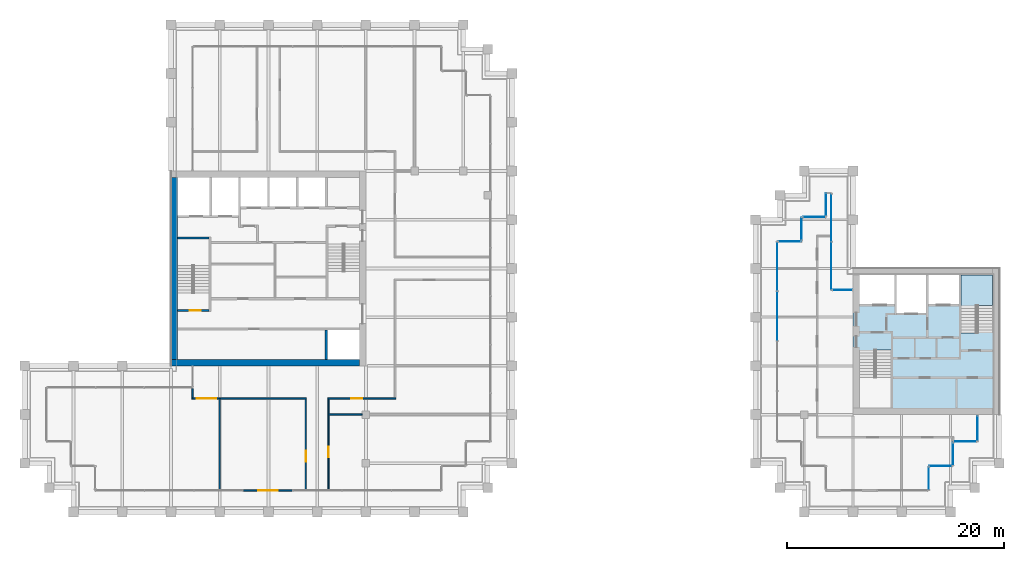
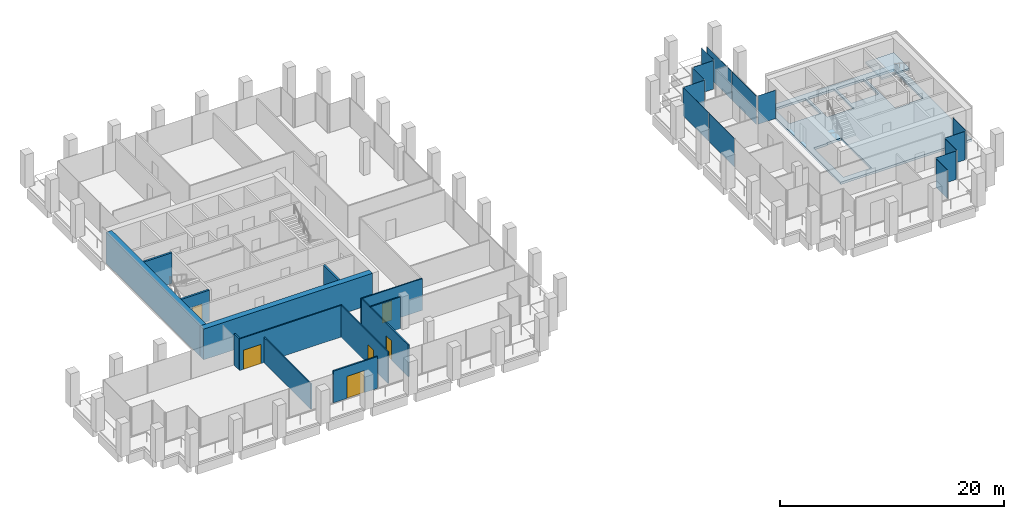
# One storey, part 35 of 40: 14 plates, 13 walls, 6 doors, 2 slabs, 6 openings, 13 elements without a shape of their own.
"""IFC4 building model written with IfcOpenShell, lengths in metres."""

from ifc_helpers import new_model, si_unit, direction, frame, frame_2d, origin, origin_2d, place, context, subcontext, project, spatial, polyline, rectangle, outline, extrude, material, layer, layer_set, type_object, element, fill, aggregate, save


model = new_model("IFC4")

# Units and contexts
model_context = context("Model", 3, precision=1e-05, world=origin(), true_north=direction((0.0, 1.0)))
body_context = subcontext(model_context, "Body", "Model", "MODEL_VIEW")
ifc_project = project(units=[si_unit("LENGTHUNIT", "METRE"), si_unit("AREAUNIT", "SQUARE_METRE"), si_unit("VOLUMEUNIT", "CUBIC_METRE"), si_unit("PLANEANGLEUNIT", "RADIAN"), si_unit("MASSUNIT", "GRAM", prefix="KILO")], contexts=[model_context])

# Site, building, storey
site_placement = place(None, origin())
site = spatial("IfcSite", under=ifc_project, at=site_placement, CompositionType="ELEMENT")
building_placement = place(site_placement, origin())
building = spatial("IfcBuilding", under=site, at=building_placement, Name="Altepetl Exchange Towers", CompositionType="ELEMENT")
storey_placement = place(building_placement, frame((0.0, 0.0, 183.39990234375)))
storey = spatial("IfcBuildingStorey", under=building, at=storey_placement, Name="L46", CompositionType="ELEMENT", Elevation=183.39990234375)

# Slab
ifc_material_1 = material(Name="Concrete C40/50", Category="concrete")
ifc_layer_1 = layer(ifc_material_1, 0.25)
ifc_layer_set_1 = layer_set([ifc_layer_1], Name="Concrete C40/50")
slab_type_1 = type_object("IfcSlabType", Name="Core floor slab 250", PredefinedType="FLOOR", material=ifc_layer_set_1)
slab_1_placement = place(storey_placement, frame((0.0, 0.0, -0.25)))
element("IfcSlab", 1, at=slab_1_placement, inside=storey, type_object=slab_type_1, Name="slab:B:L46:core0", PredefinedType="FLOOR", context=body_context, shape_type="SweptSolid", body=[
    extrude(outline(polyline([(103.5, 36.0), (117.0, 36.0), (117.0, 49.5), (103.5, 49.5), (103.5, 36.0)]), holes=[polyline([(107.0, 36.60009765625), (104.10009765625, 36.60009765625), (104.10009765625, 41.85009765625), (105.5, 41.85009765625), (105.5, 41.948974609375), (107.0, 41.948974609375), (107.0, 36.60009765625)]), polyline([(113.5, 48.89990234375), (116.39990234375, 48.89990234375), (116.39990234375, 43.64990234375), (115.0, 43.64990234375), (115.0, 43.551025390625), (113.5, 43.551025390625), (113.5, 48.89990234375)]), polyline([(107.532958984375, 45.39990234375), (107.532958984375, 48.89990234375), (110.26708984375, 48.89990234375), (110.26708984375, 45.39990234375), (107.532958984375, 45.39990234375)]), polyline([(104.10009765625, 48.89990234375), (107.3330078125, 48.89990234375), (107.3330078125, 46.199951171875), (104.10009765625, 46.199951171875), (104.10009765625, 48.89990234375)]), polyline([(110.467041015625, 48.89990234375), (113.300048828125, 48.89990234375), (113.300048828125, 46.199951171875), (110.467041015625, 46.199951171875), (110.467041015625, 48.89990234375)])]), origin(), (0.0, 0.0, 1.0), 0.25),
])

# Curtain wall, plate
ifc_material_2 = material(Name="Aluminium 6063-T6 glazing", Category="aluminium")
curtain_wall_type = type_object("IfcCurtainWallType", Name="Loggia glazing system", PredefinedType="NOTDEFINED", material=ifc_material_2)
curtain_wall_1_placement = place(storey_placement, origin())
curtain_wall_1 = element("IfcCurtainWall", 2, at=curtain_wall_1_placement, inside=storey, type_object=curtain_wall_type, Name="CW1 run", PredefinedType="NOTDEFINED")
ifc_material_3 = material(Name="Glass 6-16-6 low emissivity", Category="glass")
ifc_layer_2 = layer(ifc_material_3, 0.028076171875)
ifc_layer_set_2 = layer_set([ifc_layer_2], Name="Glass 6-16-6 low emissivity")
plate_type = type_object("IfcPlateType", Name="Glass panel 28 double glazed", PredefinedType="CURTAIN_PANEL", material=ifc_layer_set_2)
plate_1_placement = place(storey_placement, frame((110.5, 30.08740234375, 0.0), z_axis=(0.0, 0.0, 1.0), x_axis=(0.0, 1.0, 0.0)))
plate_1 = element("IfcPlate", 3, at=plate_1_placement, type_object=plate_type, Name="GP1 panel", PredefinedType="CURTAIN_PANEL", context=body_context, shape_type="SweptSolid", body=[
    extrude(rectangle(XDim=2.054931640625, YDim=0.028076171875, at=origin_2d()), origin(), (0.0, 0.0, 1.0), 3.10009765625),
])
aggregate(curtain_wall_1, [plate_1])

curtain_wall_2_placement = place(storey_placement, origin())
curtain_wall_2 = element("IfcCurtainWall", 4, at=curtain_wall_2_placement, inside=storey, type_object=curtain_wall_type, Name="CW1 run", PredefinedType="NOTDEFINED")
plate_2_placement = place(storey_placement, frame((111.58740234375, 31.25, 0.0)))
plate_2 = element("IfcPlate", 5, at=plate_2_placement, type_object=plate_type, Name="GP1 panel", PredefinedType="CURTAIN_PANEL", context=body_context, shape_type="SweptSolid", body=[
    extrude(rectangle(XDim=2.054931640625, YDim=0.028076171875, at=origin_2d()), origin(), (0.0, 0.0, 1.0), 3.10009765625),
])
aggregate(curtain_wall_2, [plate_2])

curtain_wall_3_placement = place(storey_placement, origin())
curtain_wall_3 = element("IfcCurtainWall", 6, at=curtain_wall_3_placement, inside=storey, type_object=curtain_wall_type, Name="CW1 run", PredefinedType="NOTDEFINED")
plate_3_placement = place(storey_placement, frame((112.75, 32.33740234375, 0.0), z_axis=(0.0, 0.0, 1.0), x_axis=(0.0, 1.0, 0.0)))
plate_3 = element("IfcPlate", 7, at=plate_3_placement, type_object=plate_type, Name="GP1 panel", PredefinedType="CURTAIN_PANEL", context=body_context, shape_type="SweptSolid", body=[
    extrude(rectangle(XDim=2.054931640625, YDim=0.028076171875, at=origin_2d()), origin(), (0.0, 0.0, 1.0), 3.10009765625),
])
aggregate(curtain_wall_3, [plate_3])

curtain_wall_4_placement = place(storey_placement, origin())
curtain_wall_4 = element("IfcCurtainWall", 8, at=curtain_wall_4_placement, inside=storey, type_object=curtain_wall_type, Name="CW1 run", PredefinedType="NOTDEFINED")
plate_4_placement = place(storey_placement, frame((113.83740234375, 33.5, 0.0)))
plate_4 = element("IfcPlate", 9, at=plate_4_placement, type_object=plate_type, Name="GP1 panel", PredefinedType="CURTAIN_PANEL", context=body_context, shape_type="SweptSolid", body=[
    extrude(rectangle(XDim=2.054931640625, YDim=0.028076171875, at=origin_2d()), origin(), (0.0, 0.0, 1.0), 3.10009765625),
])
aggregate(curtain_wall_4, [plate_4])

curtain_wall_5_placement = place(storey_placement, origin())
curtain_wall_5 = element("IfcCurtainWall", 10, at=curtain_wall_5_placement, inside=storey, type_object=curtain_wall_type, Name="CW1 run", PredefinedType="NOTDEFINED")
plate_5_placement = place(storey_placement, frame((115.0, 34.71240234375, 0.0), z_axis=(0.0, 0.0, 1.0), x_axis=(0.0, 1.0, 0.0)))
plate_5 = element("IfcPlate", 11, at=plate_5_placement, type_object=plate_type, Name="GP1 panel", PredefinedType="CURTAIN_PANEL", context=body_context, shape_type="SweptSolid", body=[
    extrude(rectangle(XDim=2.304931640625, YDim=0.028076171875, at=origin_2d()), origin(), (0.0, 0.0, 1.0), 3.10009765625),
])
aggregate(curtain_wall_5, [plate_5])

curtain_wall_6_placement = place(storey_placement, origin())
curtain_wall_6 = element("IfcCurtainWall", 12, at=curtain_wall_6_placement, inside=storey, type_object=curtain_wall_type, Name="CW1 run", PredefinedType="NOTDEFINED")
plate_6_placement = place(storey_placement, frame((102.53759765625, 47.5, 0.0), z_axis=(0.0, 0.0, 1.0), x_axis=(-1.0, 0.0, 0.0)))
plate_6 = element("IfcPlate", 13, at=plate_6_placement, type_object=plate_type, Name="GP1 panel", PredefinedType="CURTAIN_PANEL", context=body_context, shape_type="SweptSolid", body=[
    extrude(rectangle(XDim=1.804931640625, YDim=0.028076171875, at=origin_2d()), origin(), (0.0, 0.0, 1.0), 3.10009765625),
])
aggregate(curtain_wall_6, [plate_6])

# Curtain wall, plates
curtain_wall_7_placement = place(storey_placement, origin())
curtain_wall_7 = element("IfcCurtainWall", 14, at=curtain_wall_7_placement, inside=storey, type_object=curtain_wall_type, Name="CW1 run", PredefinedType="NOTDEFINED")
plate_7_placement = place(storey_placement, frame((101.5, 49.746337890625, 0.0), z_axis=(0.0, 0.0, 1.0), x_axis=(0.0, 1.0, 0.0)))
plate_7 = element("IfcPlate", 15, at=plate_7_placement, type_object=plate_type, Name="GP1 panel", PredefinedType="CURTAIN_PANEL", context=body_context, shape_type="SweptSolid", body=[
    extrude(rectangle(XDim=4.37255859375, YDim=0.028076171875, at=origin_2d()), origin(), (0.0, 0.0, 1.0), 3.10009765625),
])
plate_8_placement = place(storey_placement, frame((101.5, 54.1787109375, 0.0), z_axis=(0.0, 0.0, 1.0), x_axis=(0.0, 1.0, 0.0)))
plate_8 = element("IfcPlate", 16, at=plate_8_placement, type_object=plate_type, Name="GP1 panel", PredefinedType="CURTAIN_PANEL", context=body_context, shape_type="SweptSolid", body=[
    extrude(rectangle(XDim=4.37255859375, YDim=0.028076171875, at=origin_2d()), origin(), (0.0, 0.0, 1.0), 3.10009765625),
])
aggregate(curtain_wall_7, [plate_7, plate_8])

# Curtain wall, plate
curtain_wall_8_placement = place(storey_placement, origin())
curtain_wall_8 = element("IfcCurtainWall", 17, at=curtain_wall_8_placement, inside=storey, type_object=curtain_wall_type, Name="CW1 run", PredefinedType="NOTDEFINED")
plate_9_placement = place(storey_placement, frame((101.0, 55.41259765625, 0.0), z_axis=(0.0, 0.0, 1.0), x_axis=(0.0, -1.0, 0.0)))
plate_9 = element("IfcPlate", 18, at=plate_9_placement, type_object=plate_type, Name="GP1 panel", PredefinedType="CURTAIN_PANEL", context=body_context, shape_type="SweptSolid", body=[
    extrude(rectangle(XDim=2.054931640625, YDim=0.028076171875, at=origin_2d()), origin(), (0.0, 0.0, 1.0), 3.10009765625),
])
aggregate(curtain_wall_8, [plate_9])

curtain_wall_9_placement = place(storey_placement, origin())
curtain_wall_9 = element("IfcCurtainWall", 19, at=curtain_wall_9_placement, inside=storey, type_object=curtain_wall_type, Name="CW1 run", PredefinedType="NOTDEFINED")
plate_10_placement = place(storey_placement, frame((99.91259765625, 54.25, 0.0), z_axis=(0.0, 0.0, 1.0), x_axis=(-1.0, 0.0, 0.0)))
plate_10 = element("IfcPlate", 20, at=plate_10_placement, type_object=plate_type, Name="GP1 panel", PredefinedType="CURTAIN_PANEL", context=body_context, shape_type="SweptSolid", body=[
    extrude(rectangle(XDim=2.054931640625, YDim=0.028076171875, at=origin_2d()), origin(), (0.0, 0.0, 1.0), 3.10009765625),
])
aggregate(curtain_wall_9, [plate_10])

curtain_wall_10_placement = place(storey_placement, origin())
curtain_wall_10 = element("IfcCurtainWall", 21, at=curtain_wall_10_placement, inside=storey, type_object=curtain_wall_type, Name="CW1 run", PredefinedType="NOTDEFINED")
plate_11_placement = place(storey_placement, frame((98.75, 53.16259765625, 0.0), z_axis=(0.0, 0.0, 1.0), x_axis=(0.0, -1.0, 0.0)))
plate_11 = element("IfcPlate", 22, at=plate_11_placement, type_object=plate_type, Name="GP1 panel", PredefinedType="CURTAIN_PANEL", context=body_context, shape_type="SweptSolid", body=[
    extrude(rectangle(XDim=2.054931640625, YDim=0.028076171875, at=origin_2d()), origin(), (0.0, 0.0, 1.0), 3.10009765625),
])
aggregate(curtain_wall_10, [plate_11])

curtain_wall_11_placement = place(storey_placement, origin())
curtain_wall_11 = element("IfcCurtainWall", 23, at=curtain_wall_11_placement, inside=storey, type_object=curtain_wall_type, Name="CW1 run", PredefinedType="NOTDEFINED")
plate_12_placement = place(storey_placement, frame((97.66259765625, 52.0, 0.0), z_axis=(0.0, 0.0, 1.0), x_axis=(-1.0, 0.0, 0.0)))
plate_12 = element("IfcPlate", 24, at=plate_12_placement, type_object=plate_type, Name="GP1 panel", PredefinedType="CURTAIN_PANEL", context=body_context, shape_type="SweptSolid", body=[
    extrude(rectangle(XDim=2.054931640625, YDim=0.028076171875, at=origin_2d()), origin(), (0.0, 0.0, 1.0), 3.10009765625),
])
aggregate(curtain_wall_11, [plate_12])

# Curtain wall, plates
curtain_wall_12_placement = place(storey_placement, origin())
curtain_wall_12 = element("IfcCurtainWall", 25, at=curtain_wall_12_placement, inside=storey, type_object=curtain_wall_type, Name="CW1 run", PredefinedType="NOTDEFINED")
plate_13_placement = place(storey_placement, frame((96.5, 49.681884765625, 0.0), z_axis=(0.0, 0.0, 1.0), x_axis=(0.0, -1.0, 0.0)))
plate_13 = element("IfcPlate", 26, at=plate_13_placement, type_object=plate_type, Name="GP1 panel", PredefinedType="CURTAIN_PANEL", context=body_context, shape_type="SweptSolid", body=[
    extrude(rectangle(XDim=4.516357421875, YDim=0.028076171875, at=origin_2d()), origin(), (0.0, 0.0, 1.0), 3.10009765625),
])
plate_14_placement = place(storey_placement, frame((96.5, 45.090576171875, 0.0), z_axis=(0.0, 0.0, 1.0), x_axis=(0.0, -1.0, 0.0)))
plate_14 = element("IfcPlate", 27, at=plate_14_placement, type_object=plate_type, Name="GP1 panel", PredefinedType="CURTAIN_PANEL", context=body_context, shape_type="SweptSolid", body=[
    extrude(rectangle(XDim=4.546142578125, YDim=0.028076171875, at=origin_2d()), origin(), (0.0, 0.0, 1.0), 3.10009765625),
])
aggregate(curtain_wall_12, [plate_13, plate_14])

# Stair, slab
stair_type = type_object("IfcStairType", Name="Exit stair 1400 flights dogleg", PredefinedType="HALF_TURN_STAIR", material=ifc_material_1)
stair_placement = place(storey_placement, origin())
stair = element("IfcStair", 28, at=stair_placement, inside=storey, type_object=stair_type, Name="Exit stair 2", PredefinedType="HALF_TURN_STAIR")
ifc_layer_3 = layer(ifc_material_1, 0.199951171875)
ifc_layer_set_3 = layer_set([ifc_layer_3], Name="Concrete C40/50")
slab_type_2 = type_object("IfcSlabType", Name="Stair landing 200 reinforced concrete", PredefinedType="LANDING", material=ifc_layer_set_3)
slab_2_placement = place(storey_placement, frame((0.0, 0.0, 1.60009765625)))
slab_2 = element("IfcSlab", 29, at=slab_2_placement, type_object=slab_type_2, Name="ST-B2e landing 1", PredefinedType="LANDING", context=body_context, shape_type="SweptSolid", body=[
    extrude(outline(polyline([(114.89990234375, 45.969970703125), (113.5, 45.969970703125), (113.5, 46.070068359375), (113.5, 48.89990234375), (116.39990234375, 48.89990234375), (116.39990234375, 46.070068359375), (116.39990234375, 46.0693359375), (115.0, 46.0693359375), (115.0, 46.070068359375), (114.89990234375, 46.070068359375), (114.89990234375, 45.969970703125)])), origin(), (0.0, 0.0, 1.0), 0.199951171875),
])
aggregate(stair, [slab_2])

# Walls
ifc_material_4 = material(Name="Concrete C70/85", Category="concrete")
ifc_layer_4 = layer(ifc_material_4, 0.60009765625)
ifc_layer_set_4 = layer_set([ifc_layer_4], Name="Concrete C70/85")
wall_type_1 = type_object("IfcWallType", Name="Core wall 600 reinforced concrete", PredefinedType="SHEAR", material=ifc_layer_set_4)
wall_1_placement = place(storey_placement, frame((40.5, 40.800048828125, 0.0)))
element("IfcWall", 30, at=wall_1_placement, inside=storey, type_object=wall_type_1, Name="wall:A:L46:K-coreS", PredefinedType="SHEAR", context=body_context, shape_type="SweptSolid", body=[
    extrude(rectangle(XDim=17.39990234375, YDim=0.60009765625, at=frame_2d((8.699951171875, 0.0))), origin(), (0.0, 0.0, 1.0), 3.35009765625),
])
ifc_layer_5 = layer(ifc_material_4, 0.60009765625)
ifc_layer_set_5 = layer_set([ifc_layer_5], Name="Concrete C70/85")
wall_type_2 = type_object("IfcWallType", Name="Core wall 600 reinforced concrete external", PredefinedType="SHEAR", material=ifc_layer_set_5)
wall_2_placement = place(storey_placement, frame((40.800048828125, 41.10009765625, 0.0), z_axis=(0.0, 0.0, 1.0), x_axis=(0.0, 1.0, 0.0)))
element("IfcWall", 31, at=wall_2_placement, inside=storey, type_object=wall_type_2, Name="wall:A:L46:K-coreW", PredefinedType="SHEAR", context=body_context, shape_type="SweptSolid", body=[
    extrude(rectangle(XDim=16.7998046875, YDim=0.60009765625, at=frame_2d((8.39990234375, 0.0))), origin(), (0.0, 0.0, 1.0), 3.35009765625),
])

# Wall, opening, door
ifc_material_5 = material(Name="Aluminium composite cladding", Category="aluminium")
ifc_layer_6 = layer(ifc_material_5, 0.14990234375)
ifc_layer_set_6 = layer_set([ifc_layer_6], Name="Aluminium composite cladding")
wall_type_3 = type_object("IfcWallType", Name="Infill wall 150 aluminium panel", PredefinedType="SOLIDWALL", material=ifc_layer_set_6)
wall_3_placement = place(storey_placement, frame((47.18212890625, 29.0, 0.0)))
wall_3 = element("IfcWall", 32, at=wall_3_placement, inside=storey, type_object=wall_type_3, Name="Loggia door bay wall", PredefinedType="SOLIDWALL", context=body_context, shape_type="SweptSolid", body=[
    extrude(rectangle(XDim=4.560791015625, YDim=0.14990234375, at=frame_2d((2.2802734375, 0.0))), origin(), (0.0, 0.0, 1.0), 3.4501953125),
])
opening_1_placement = place(wall_3_placement, frame((1.38037109375, 0.0, 0.0)))
opening_1 = element("IfcOpeningElement", 33, at=opening_1_placement, cuts=wall_3, Name="Opening L46.A90", PredefinedType="OPENING", context=body_context, shape_type="SweptSolid", body=[
    extrude(rectangle(XDim=1.800048828125, YDim=2.39990234375, at=frame_2d((0.89990234375, 1.199951171875))), frame((0.0, 0.0849609375, 0.0), z_axis=(0.0, -1.0, 0.0), x_axis=(1.0, 0.0, 0.0)), (0.0, 0.0, 1.0), 0.169921875),
])
ifc_material_6 = material(Name="Aluminium 6063-T6 and glass", Category="aluminium")
door_type_1 = type_object("IfcDoorType", Name="Glazed door pair 1800x2400", OperationType="DOUBLE_DOOR_DOUBLE_SWING", PredefinedType="NOTDEFINED", material=ifc_material_6)
door_1_placement = place(opening_1_placement, frame((1.800048828125, 0.0, 0.0), x_axis=(-1.0, 0.0, 0.0)))
door_1 = element("IfcDoor", 34, at=door_1_placement, inside=storey, type_object=door_type_1, Name="Loggia door", OperationType="DOUBLE_DOOR_DOUBLE_SWING", OverallHeight=2.39990234375, OverallWidth=1.800048828125, PredefinedType="NOTDEFINED", context=body_context, shape_type="SweptSolid", body=[
    extrude(rectangle(XDim=1.800048828125, YDim=2.39990234375, at=frame_2d((0.89990234375, 1.199951171875))), frame((0.0, 0.02490234375, 0.0), z_axis=(0.0, -1.0, 0.0), x_axis=(1.0, 0.0, 0.0)), (0.0, 0.0, 1.0), 0.050048828125),
])
fill(opening_1, door_1)

# Wall
ifc_material_7 = material(Name="Gypsum board on steel studs", Category="steel")
ifc_layer_7 = layer(ifc_material_7, 0.125)
ifc_layer_set_7 = layer_set([ifc_layer_7], Name="Gypsum board on steel studs")
wall_type_4 = type_object("IfcWallType", Name="Partition 125 gypsum board on steel studs", PredefinedType="PARTITIONING", material=ifc_layer_set_7)
wall_4_placement = place(storey_placement, frame((55.050048828125, 36.0, 0.0)))
element("IfcWall", 35, at=wall_4_placement, inside=storey, type_object=wall_type_4, Name="wall:A:L46:P01", PredefinedType="PARTITIONING", context=body_context, shape_type="SweptSolid", body=[
    extrude(rectangle(XDim=3.099853515625, YDim=0.125, at=frame_2d((1.5498046875, 0.0))), origin(), (0.0, 0.0, 1.0), 3.4501953125),
])

# Wall, opening, door
wall_5_placement = place(storey_placement, frame((42.4375, 37.5, 0.0)))
wall_5 = element("IfcWall", 36, at=wall_5_placement, inside=storey, type_object=wall_type_4, Name="wall:A:L46:P03", PredefinedType="PARTITIONING", context=body_context, shape_type="SweptSolid", body=[
    extrude(rectangle(XDim=10.574951171875, YDim=0.125, at=frame_2d((5.28759765625, 0.0))), origin(), (0.0, 0.0, 1.0), 3.4501953125),
])
opening_2_placement = place(wall_5_placement, frame((0.429443359375, 0.0, 0.0)))
opening_2 = element("IfcOpeningElement", 37, at=opening_2_placement, cuts=wall_5, Name="Opening L46.A03", PredefinedType="OPENING", context=body_context, shape_type="SweptSolid", body=[
    extrude(rectangle(XDim=1.800048828125, YDim=2.10009765625, at=frame_2d((0.89990234375, 1.050048828125))), frame((0.0, 0.072509765625, 0.0), z_axis=(0.0, -1.0, 0.0), x_axis=(1.0, 0.0, 0.0)), (0.0, 0.0, 1.0), 0.14501953125),
])
ifc_material_8 = material(Name="Steel and timber fire door", Category="steel")
door_type_2 = type_object("IfcDoorType", Name="Fire door 1800 x 2100 double leaf", OperationType="DOUBLE_DOOR_SINGLE_SWING", PredefinedType="DOOR", material=ifc_material_8)
door_2_placement = place(opening_2_placement, frame((1.800048828125, 0.0, 0.0), x_axis=(-1.0, 0.0, 0.0)))
door_2 = element("IfcDoor", 38, at=door_2_placement, inside=storey, type_object=door_type_2, Name="door:A:L46:03", OperationType="DOUBLE_DOOR_SINGLE_SWING", OverallHeight=2.10009765625, OverallWidth=1.800048828125, PredefinedType="DOOR", context=body_context, shape_type="SweptSolid", body=[
    extrude(rectangle(XDim=1.800048828125, YDim=2.10009765625, at=frame_2d((0.89990234375, 1.050048828125))), frame((0.0, 0.02490234375, 0.0), z_axis=(0.0, -1.0, 0.0), x_axis=(1.0, 0.0, 0.0)), (0.0, 0.0, 1.0), 0.050048828125),
])
fill(opening_2, door_2)

wall_6_placement = place(storey_placement, frame((54.987548828125, 37.5, 0.0)))
wall_6 = element("IfcWall", 39, at=wall_6_placement, inside=storey, type_object=wall_type_4, Name="wall:A:L46:P04", PredefinedType="PARTITIONING", context=body_context, shape_type="SweptSolid", body=[
    extrude(rectangle(XDim=6.27490234375, YDim=0.125, at=frame_2d((3.137451171875, 0.0))), origin(), (0.0, 0.0, 1.0), 3.4501953125),
])
opening_3_placement = place(wall_6_placement, frame((2.16259765625, 0.0, 0.0)))
opening_3 = element("IfcOpeningElement", 40, at=opening_3_placement, cuts=wall_6, Name="Opening L46.A04", PredefinedType="OPENING", context=body_context, shape_type="SweptSolid", body=[
    extrude(rectangle(XDim=1.0, YDim=2.10009765625, at=frame_2d((0.5, 1.050048828125))), frame((0.0, 0.072509765625, 0.0), z_axis=(0.0, -1.0, 0.0), x_axis=(1.0, 0.0, 0.0)), (0.0, 0.0, 1.0), 0.14501953125),
])
door_type_3 = type_object("IfcDoorType", Name="Fire door 1000 x 2100 single leaf", OperationType="SINGLE_SWING_LEFT", PredefinedType="DOOR", material=ifc_material_8)
door_3_placement = place(opening_3_placement, origin())
door_3 = element("IfcDoor", 41, at=door_3_placement, inside=storey, type_object=door_type_3, Name="door:A:L46:04", OperationType="SINGLE_SWING_LEFT", OverallHeight=2.10009765625, OverallWidth=1.0, PredefinedType="DOOR", context=body_context, shape_type="SweptSolid", body=[
    extrude(rectangle(XDim=1.0, YDim=2.10009765625, at=frame_2d((0.5, 1.050048828125))), frame((0.0, 0.02490234375, 0.0), z_axis=(0.0, -1.0, 0.0), x_axis=(1.0, 0.0, 0.0)), (0.0, 0.0, 1.0), 0.050048828125),
])
fill(opening_3, door_3)

# Walls
wall_7_placement = place(storey_placement, frame((42.5, 37.5625, 0.0), z_axis=(0.0, 0.0, 1.0), x_axis=(0.0, 1.0, 0.0)))
element("IfcWall", 42, at=wall_7_placement, inside=storey, type_object=wall_type_4, Name="wall:A:L46:P11", PredefinedType="PARTITIONING", context=body_context, shape_type="SweptSolid", body=[
    extrude(rectangle(XDim=0.83740234375, YDim=0.125, at=frame_2d((0.418701171875, 0.0))), origin(), (0.0, 0.0, 1.0), 3.4501953125),
])
wall_8_placement = place(storey_placement, frame((45.0, 29.10009765625, 0.0), z_axis=(0.0, 0.0, 1.0), x_axis=(0.0, 1.0, 0.0)))
element("IfcWall", 43, at=wall_8_placement, inside=storey, type_object=wall_type_4, Name="wall:A:L46:P12", PredefinedType="PARTITIONING", context=body_context, shape_type="SweptSolid", body=[
    extrude(rectangle(XDim=8.39990234375, YDim=0.125, at=frame_2d((4.199951171875, 0.0))), origin(), (0.0, 0.0, 1.0), 2.76611328125),
])

# Wall, opening, door
wall_9_placement = place(storey_placement, frame((52.949951171875, 29.10009765625, 0.0), z_axis=(0.0, 0.0, 1.0), x_axis=(0.0, 1.0, 0.0)))
wall_9 = element("IfcWall", 44, at=wall_9_placement, inside=storey, type_object=wall_type_4, Name="wall:A:L46:P15", PredefinedType="PARTITIONING", context=body_context, shape_type="SweptSolid", body=[
    extrude(rectangle(XDim=8.33740234375, YDim=0.125, at=frame_2d((4.168701171875, 0.0))), origin(), (0.0, 0.0, 1.0), 3.4501953125),
])
opening_4_placement = place(wall_9_placement, frame((2.56201171875, 0.0, 0.0)))
opening_4 = element("IfcOpeningElement", 45, at=opening_4_placement, cuts=wall_9, Name="Opening L46.A02", PredefinedType="OPENING", context=body_context, shape_type="SweptSolid", body=[
    extrude(rectangle(XDim=1.0, YDim=2.10009765625, at=frame_2d((0.5, 1.050048828125))), frame((0.0, 0.072509765625, 0.0), z_axis=(0.0, -1.0, 0.0), x_axis=(1.0, 0.0, 0.0)), (0.0, 0.0, 1.0), 0.14501953125),
])
door_4_placement = place(opening_4_placement, origin())
door_4 = element("IfcDoor", 46, at=door_4_placement, inside=storey, type_object=door_type_3, Name="door:A:L46:02", OperationType="SINGLE_SWING_RIGHT", OverallHeight=2.10009765625, OverallWidth=1.0, PredefinedType="DOOR", context=body_context, shape_type="SweptSolid", body=[
    extrude(rectangle(XDim=1.0, YDim=2.10009765625, at=frame_2d((0.5, 1.050048828125))), frame((0.0, 0.02490234375, 0.0), z_axis=(0.0, -1.0, 0.0), x_axis=(1.0, 0.0, 0.0)), (0.0, 0.0, 1.0), 0.050048828125),
])
fill(opening_4, door_4)

wall_10_placement = place(storey_placement, frame((55.050048828125, 29.10009765625, 0.0), z_axis=(0.0, 0.0, 1.0), x_axis=(0.0, 1.0, 0.0)))
wall_10 = element("IfcWall", 47, at=wall_10_placement, inside=storey, type_object=wall_type_4, Name="wall:A:L46:P16", PredefinedType="PARTITIONING", context=body_context, shape_type="SweptSolid", body=[
    extrude(rectangle(XDim=8.33740234375, YDim=0.125, at=frame_2d((4.168701171875, 0.0))), origin(), (0.0, 0.0, 1.0), 3.4501953125),
])
opening_5_placement = place(wall_10_placement, frame((2.949951171875, 0.0, 0.0)))
opening_5 = element("IfcOpeningElement", 48, at=opening_5_placement, cuts=wall_10, Name="Opening L46.A01", PredefinedType="OPENING", context=body_context, shape_type="SweptSolid", body=[
    extrude(rectangle(XDim=1.0, YDim=2.10009765625, at=frame_2d((0.5, 1.050048828125))), frame((0.0, 0.072509765625, 0.0), z_axis=(0.0, -1.0, 0.0), x_axis=(1.0, 0.0, 0.0)), (0.0, 0.0, 1.0), 0.14501953125),
])
door_5_placement = place(opening_5_placement, frame((1.0, 0.0, 0.0), x_axis=(-1.0, 0.0, 0.0)))
door_5 = element("IfcDoor", 49, at=door_5_placement, inside=storey, type_object=door_type_3, Name="door:A:L46:01", OperationType="SINGLE_SWING_LEFT", OverallHeight=2.10009765625, OverallWidth=1.0, PredefinedType="DOOR", context=body_context, shape_type="SweptSolid", body=[
    extrude(rectangle(XDim=1.0, YDim=2.10009765625, at=frame_2d((0.5, 1.050048828125))), frame((0.0, 0.02490234375, 0.0), z_axis=(0.0, -1.0, 0.0), x_axis=(1.0, 0.0, 0.0)), (0.0, 0.0, 1.0), 0.050048828125),
])
fill(opening_5, door_5)

# Walls
ifc_layer_8 = layer(ifc_material_1, 0.199951171875)
ifc_layer_set_8 = layer_set([ifc_layer_8], Name="Concrete C40/50")
wall_type_5 = type_object("IfcWallType", Name="Shaft wall 200 reinforced concrete", PredefinedType="SHEAR", material=ifc_layer_set_8)
wall_11_placement = place(storey_placement, frame((54.833251953125, 41.10009765625, 0.0), z_axis=(0.0, 0.0, 1.0), x_axis=(0.0, 1.0, 0.0)))
element("IfcWall", 50, at=wall_11_placement, inside=storey, type_object=wall_type_5, Name="wall:A:L46:K-divS5", PredefinedType="SHEAR", context=body_context, shape_type="SweptSolid", body=[
    extrude(rectangle(XDim=2.699951171875, YDim=0.199951171875, at=frame_2d((1.35009765625, 0.0))), origin(), (0.0, 0.0, 1.0), 3.35009765625),
])
ifc_layer_9 = layer(ifc_material_1, 0.199951171875)
ifc_layer_set_9 = layer_set([ifc_layer_9], Name="Concrete C40/50")
wall_type_6 = type_object("IfcWallType", Name="Stair wall 200 reinforced concrete", PredefinedType="SHEAR", material=ifc_layer_set_9)
wall_12_placement = place(storey_placement, frame((41.10009765625, 52.300048828125, 0.0)))
element("IfcWall", 51, at=wall_12_placement, inside=storey, type_object=wall_type_6, Name="wall:A:L46:K-stS1N", PredefinedType="SHEAR", context=body_context, shape_type="SweptSolid", body=[
    extrude(rectangle(XDim=2.89990234375, YDim=0.199951171875, at=frame_2d((1.449951171875, 0.0))), origin(), (0.0, 0.0, 1.0), 3.35009765625),
])

# Wall, opening, door
wall_13_placement = place(storey_placement, frame((41.10009765625, 45.60009765625, 0.0)))
wall_13 = element("IfcWall", 52, at=wall_13_placement, inside=storey, type_object=wall_type_6, Name="wall:A:L46:K-stS1S", PredefinedType="SHEAR", context=body_context, shape_type="SweptSolid", body=[
    extrude(rectangle(XDim=2.89990234375, YDim=0.199951171875, at=frame_2d((1.449951171875, 0.0))), origin(), (0.0, 0.0, 1.0), 3.35009765625),
])
opening_6_placement = place(wall_13_placement, frame((1.14990234375, 0.0, 0.0)))
opening_6 = element("IfcOpeningElement", 53, at=opening_6_placement, cuts=wall_13, Name="Opening L46.A62", PredefinedType="OPENING", context=body_context, shape_type="SweptSolid", body=[
    extrude(rectangle(XDim=1.0, YDim=2.10009765625, at=frame_2d((0.5, 1.050048828125))), frame((0.0, 0.10986328125, 0.0), z_axis=(0.0, -1.0, 0.0), x_axis=(1.0, 0.0, 0.0)), (0.0, 0.0, 1.0), 0.219970703125),
])
door_type_4 = type_object("IfcDoorType", Name="Fire door 1000 x 2100 stair and lobby", OperationType="SINGLE_SWING_LEFT", PredefinedType="DOOR", material=ifc_material_8)
door_6_placement = place(opening_6_placement, origin())
door_6 = element("IfcDoor", 54, at=door_6_placement, inside=storey, type_object=door_type_4, Name="door:A:L46:K-dS1in", OperationType="SINGLE_SWING_RIGHT", OverallHeight=2.10009765625, OverallWidth=1.0, PredefinedType="DOOR", context=body_context, shape_type="SweptSolid", body=[
    extrude(rectangle(XDim=1.0, YDim=2.10009765625, at=frame_2d((0.5, 1.050048828125))), frame((0.0, 0.02490234375, 0.0), z_axis=(0.0, -1.0, 0.0), x_axis=(1.0, 0.0, 0.0)), (0.0, 0.0, 1.0), 0.050048828125),
])
fill(opening_6, door_6)

save(model, "model.ifc")
